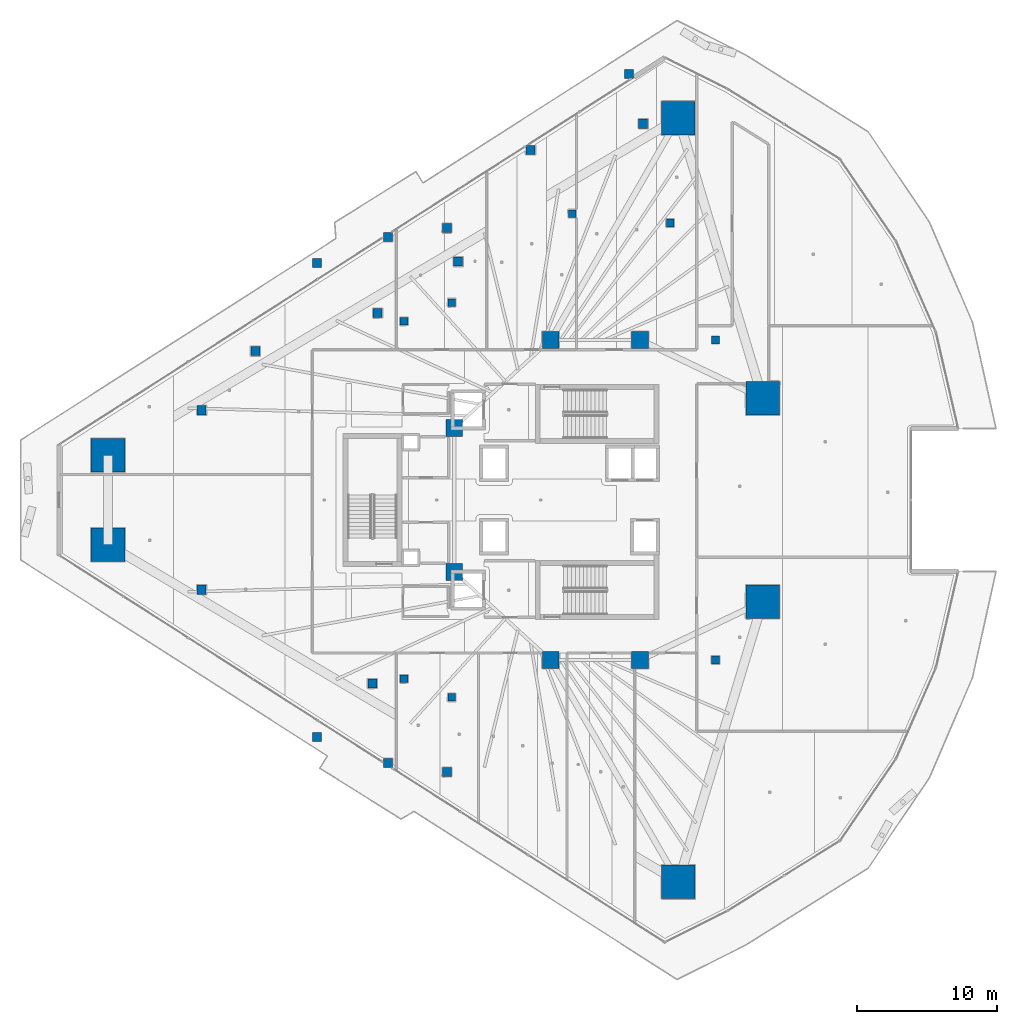
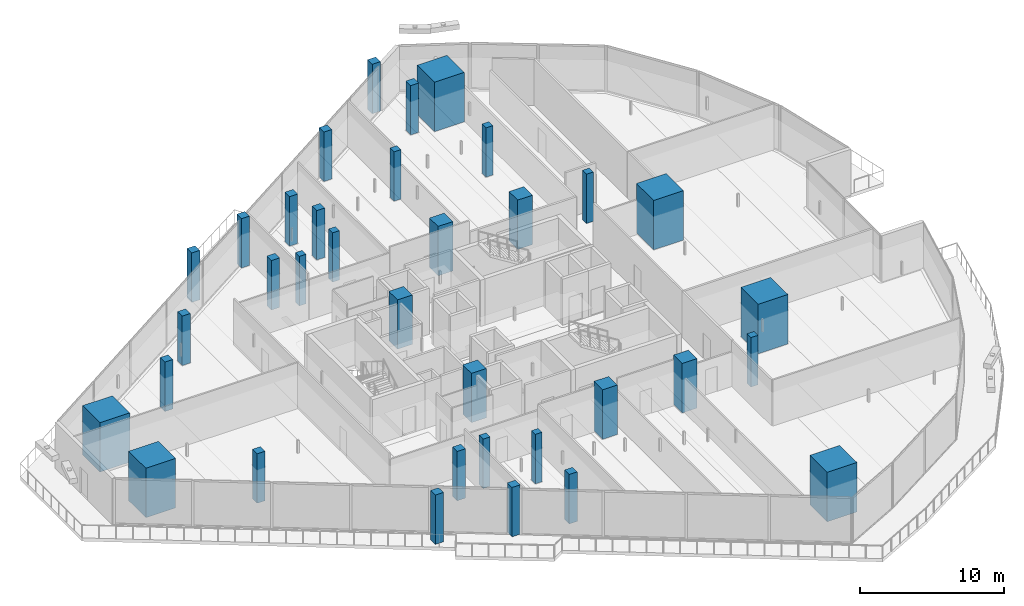
# One storey, part 1 of 45: 35 columns.
"""IFC4 building model written with IfcOpenShell, lengths in metres."""

from ifc_helpers import new_model, si_unit, direction, frame, origin, origin_2d, place, context, subcontext, project, spatial, rectangle, extrude, material, material_profile, profile_set, type_object, element, save


model = new_model("IFC4")

# Units and contexts
model_context = context("Model", 3, precision=1e-05, world=origin(), true_north=direction((0.0, 1.0)))
body_context = subcontext(model_context, "Body", "Model", "MODEL_VIEW")
ifc_project = project(units=[si_unit("LENGTHUNIT", "METRE"), si_unit("AREAUNIT", "SQUARE_METRE"), si_unit("VOLUMEUNIT", "CUBIC_METRE"), si_unit("PLANEANGLEUNIT", "RADIAN"), si_unit("MASSUNIT", "GRAM", prefix="KILO")], contexts=[model_context])

# Site, building, storey
site_placement = place(None, origin())
site = spatial("IfcSite", under=ifc_project, at=site_placement, CompositionType="ELEMENT")
building_placement = place(site_placement, origin())
building = spatial("IfcBuilding", under=site, at=building_placement, Name="Qorvath Tower", CompositionType="ELEMENT")
storey_placement = place(building_placement, frame((0.0, 0.0, 91.199951171875)))
storey = spatial("IfcBuildingStorey", under=building, at=storey_placement, Name="L20", CompositionType="ELEMENT", Elevation=91.199951171875)

# Columns
ifc_material_1 = material(Name="Concrete C70/85", Category="concrete")
ifc_material_profile_1 = material_profile(ifc_material_1, rectangle(XDim=2.39990234375, YDim=2.39990234375, at=origin_2d()), Name="MC 2400x2400")
ifc_profile_set_1 = profile_set([ifc_material_profile_1], Name="Concrete C70/85")
column_type_1 = type_object("IfcColumnType", Name="COL-MC1", PredefinedType="COLUMN", material=ifc_profile_set_1)
for number, where, z_axis, x_axis, name in (
    (1, (-55.282958984375, 3.194580078125, 0.0), (0.0, 0.0, 1.0), (1.0, 0.0, 0.0), "Composite Mega-Column MC1 L20"),
    (2, (-55.282958984375, -3.194580078125, 0.0), (0.0, 0.0, 1.0), (1.0, 0.0, 0.0), "Composite Mega-Column MC2 L20"),
    (3, (-14.46435546875, -27.330810546875, 0.0), (0.0, 0.0, 1.0), (1.0, 0.0, 0.0), "Composite Mega-Column MC3 L20"),
    (4, (-8.430419921875, -7.2763671875, 0.0), (0.0, 0.0, 1.0), (1.0, 0.0, 0.0), "Composite Mega-Column MC4 L20"),
    (5, (-8.430419921875, 7.2763671875, 0.0), (0.0, 0.0, 1.0), (1.0, 0.0, 0.0), "Composite Mega-Column MC5 L20"),
    (6, (-14.46435546875, 27.330810546875, 0.0), (0.0, 0.0, 1.0), (1.0, 0.0, 0.0), "Composite Mega-Column MC6 L20"),
):
    element("IfcColumn", number, at=place(storey_placement, frame(where, z_axis=z_axis, x_axis=x_axis)), inside=storey, type_object=column_type_1, Name=name, PredefinedType="COLUMN", context=body_context, shape_type="SweptSolid", body=[
        extrude(rectangle(XDim=2.39990234375, YDim=2.39990234375, at=origin_2d()), origin(), (0.0, 0.0, 1.0), 4.199951171875),
    ])
ifc_material_2 = material(Name="Concrete C60/75", Category="concrete")
ifc_material_profile_2 = material_profile(ifc_material_2, rectangle(XDim=1.199951171875, YDim=1.199951171875, at=origin_2d()), Name="RC 1200x1200")
ifc_profile_set_2 = profile_set([ifc_material_profile_2], Name="Concrete C60/75")
column_type_2 = type_object("IfcColumnType", Name="COL-RC1", PredefinedType="COLUMN", material=ifc_profile_set_2)
for number, where, z_axis, x_axis, name in (
    (7, (-23.60009765625, 11.449951171875, 0.0), (0.0, 0.0, 1.0), (1.0, 0.0, 0.0), "Core Spine Column CC1 L20"),
    (8, (-17.199951171875, 11.449951171875, 0.0), (0.0, 0.0, 1.0), (1.0, 0.0, 0.0), "Core Spine Column CC2 L20"),
    (9, (-17.199951171875, -11.449951171875, 0.0), (0.0, 0.0, 1.0), (1.0, 0.0, 0.0), "Core Spine Column CC3 L20"),
    (10, (-23.60009765625, -11.449951171875, 0.0), (0.0, 0.0, 1.0), (1.0, 0.0, 0.0), "Core Spine Column CC4 L20"),
    (11, (-30.5, 5.14990234375, 0.0), (0.0, 0.0, 1.0), (1.0, 0.0, 0.0), "Core Spine Column CC5 L20"),
    (12, (-30.5, -5.14990234375, 0.0), (0.0, 0.0, 1.0), (1.0, 0.0, 0.0), "Core Spine Column CC6 L20"),
):
    element("IfcColumn", number, at=place(storey_placement, frame(where, z_axis=z_axis, x_axis=x_axis)), inside=storey, type_object=column_type_2, Name=name, PredefinedType="COLUMN", context=body_context, shape_type="SweptSolid", body=[
        extrude(rectangle(XDim=1.199951171875, YDim=1.199951171875, at=origin_2d()), origin(), (0.0, 0.0, 1.0), 4.199951171875),
    ])
ifc_material_3 = material(Name="Concrete C45/55", Category="concrete")
ifc_material_profile_3 = material_profile(ifc_material_3, rectangle(XDim=0.64990234375, YDim=0.64990234375, at=origin_2d()), Name="RC 650x650")
ifc_profile_set_3 = profile_set([ifc_material_profile_3], Name="Concrete C45/55")
column_type_3 = type_object("IfcColumnType", Name="COL-RC6", PredefinedType="COLUMN", material=ifc_profile_set_3)
for number, where, z_axis, x_axis, name in (
    (13, (-40.33251953125, 16.955810546875, 0.0), (0.0, 0.0, 1.0), (1.0, 0.0, 0.0), "Loggia Frame Pier Column LGB1 L20"),
    (14, (-40.33251953125, -16.955810546875, 0.0), (0.0, 0.0, 1.0), (1.0, 0.0, 0.0), "Loggia Frame Pier Column LGB2 L20"),
    (15, (-18.0, 30.5, 0.0), (0.0, 0.0, 1.0), (1.0, 0.0, 0.0), "Loggia Frame Pier Column LGB3 L20"),
    (16, (-35.251708984375, 18.829345703125, 0.0), (0.0, 0.0, 1.0), (1.0, 0.0, 0.0), "Loggia Frame Pier Column LGC1 L20"),
    (17, (-35.251708984375, -18.829345703125, 0.0), (0.0, 0.0, 1.0), (1.0, 0.0, 0.0), "Loggia Frame Pier Column LGC2 L20"),
    (18, (-25.03759765625, 25.058837890625, 0.0), (0.0, 0.0, 1.0), (1.0, 0.0, 0.0), "Loggia Frame Pier Column LGC3 L20"),
    (19, (-31.01611328125, 19.46044921875, 0.0), (0.0, 0.0, 1.0), (1.0, 0.0, 0.0), "Loggia Frame Pier Column LGD1 L20"),
    (20, (-31.01611328125, -19.46044921875, 0.0), (0.0, 0.0, 1.0), (1.0, 0.0, 0.0), "Loggia Frame Pier Column LGD2 L20"),
    (21, (-44.736328125, 10.65234375, 0.0), (0.0, 0.0, 1.0), (1.0, 0.0, 0.0), "Loggia Frame Pier Column LGD3 L20"),
    (22, (-48.578369140625, 6.424560546875, 0.0), (0.0, 0.0, 1.0), (1.0, 0.0, 0.0), "Loggia Frame Pier Column LGE1 L20"),
    (23, (-48.578369140625, -6.424560546875, 0.0), (0.0, 0.0, 1.0), (1.0, 0.0, 0.0), "Loggia Frame Pier Column LGE2 L20"),
    (24, (-16.981201171875, 26.92919921875, 0.0), (0.0, 0.0, 1.0), (1.0, 0.0, 0.0), "Loggia Frame Pier Column LGE3 L20"),
    (25, (-35.980712890625, 13.380859375, 0.0), (0.0, 0.0, 1.0), (1.0, 0.0, 0.0), "Loggia Frame Pier Column LGF1 L20"),
    (26, (-36.36474609375, -13.135498046875, 0.0), (0.0, 0.0, 1.0), (1.0, 0.0, 0.0), "Loggia Frame Pier Column LGF2 L20"),
    (27, (-30.224853515625, 17.0595703125, 0.0), (0.0, 0.0, 1.0), (1.0, 0.0, 0.0), "Loggia Frame Pier Column LGF3 L20"),
):
    element("IfcColumn", number, at=place(storey_placement, frame(where, z_axis=z_axis, x_axis=x_axis)), inside=storey, type_object=column_type_3, Name=name, PredefinedType="COLUMN", context=body_context, shape_type="SweptSolid", body=[
        extrude(rectangle(XDim=0.64990234375, YDim=0.64990234375, at=origin_2d()), origin(), (0.0, 0.0, 1.0), 4.199951171875),
    ])
ifc_material_4 = material(Name="Concrete C45/55", Category="concrete")
ifc_material_profile_4 = material_profile(ifc_material_4, rectangle(XDim=0.550048828125, YDim=0.550048828125, at=origin_2d()), Name="RC 550x550")
ifc_profile_set_4 = profile_set([ifc_material_profile_4], Name="Concrete C45/55")
column_type_4 = type_object("IfcColumnType", Name="COL-RC7", PredefinedType="COLUMN", material=ifc_profile_set_4)
for number, where, z_axis, x_axis, name in (
    (28, (-34.104248046875, 12.79248046875, 0.0), (0.0, 0.0, 1.0), (1.0, 0.0, 0.0), "Loggia Frame Pier Column LGG1 L20"),
    (29, (-34.104248046875, -12.79248046875, 0.0), (0.0, 0.0, 1.0), (1.0, 0.0, 0.0), "Loggia Frame Pier Column LGG2 L20"),
    (30, (-22.05322265625, 20.494873046875, 0.0), (0.0, 0.0, 1.0), (1.0, 0.0, 0.0), "Loggia Frame Pier Column LGG3 L20"),
    (31, (-30.67724609375, 14.124267578125, 0.0), (0.0, 0.0, 1.0), (1.0, 0.0, 0.0), "Loggia Frame Pier Column LGH1 L20"),
    (32, (-30.67724609375, -14.124267578125, 0.0), (0.0, 0.0, 1.0), (1.0, 0.0, 0.0), "Loggia Frame Pier Column LGH2 L20"),
    (33, (-15.046142578125, 19.818115234375, 0.0), (0.0, 0.0, 1.0), (1.0, 0.0, 0.0), "Loggia Frame Pier Column LGH3 L20"),
    (34, (-11.800048828125, -11.449951171875, 0.0), (0.0, 0.0, 1.0), (1.0, 0.0, 0.0), "Central Slot Jamb Column SC1 L20"),
    (35, (-11.800048828125, 11.449951171875, 0.0), (0.0, 0.0, 1.0), (1.0, 0.0, 0.0), "Central Slot Jamb Column SC2 L20"),
):
    element("IfcColumn", number, at=place(storey_placement, frame(where, z_axis=z_axis, x_axis=x_axis)), inside=storey, type_object=column_type_4, Name=name, PredefinedType="COLUMN", context=body_context, shape_type="SweptSolid", body=[
        extrude(rectangle(XDim=0.550048828125, YDim=0.550048828125, at=origin_2d()), origin(), (0.0, 0.0, 1.0), 4.199951171875),
    ])

save(model, "model.ifc")
